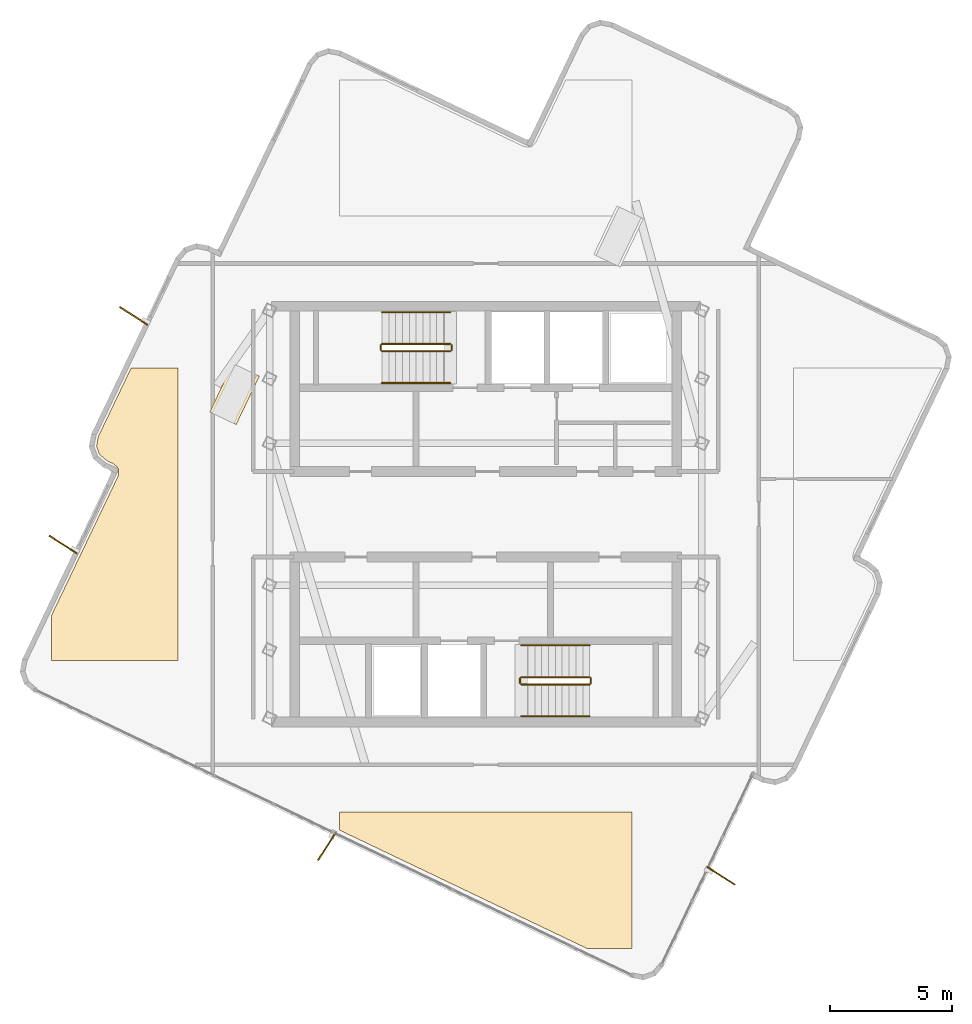
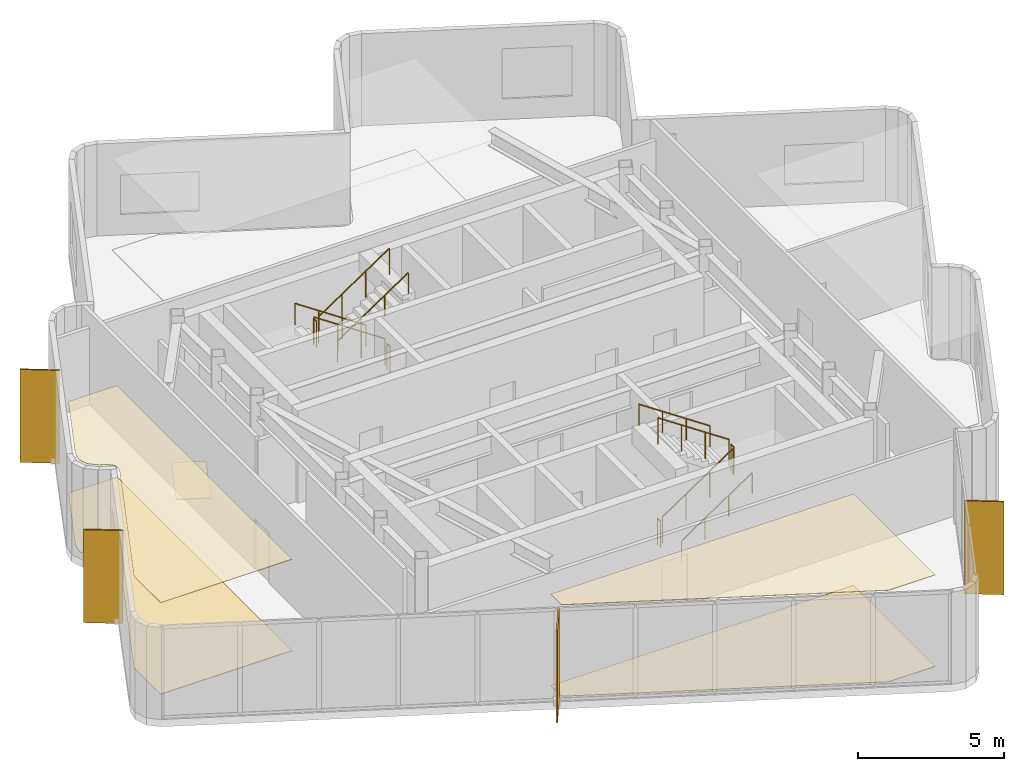
# One storey, part 6 of 8: 12 railings, 5 coverings, 4 shading devices.
"""IFC4 building model written with IfcOpenShell, lengths in metres."""

from ifc_helpers import new_model, si_unit, direction, frame, origin, origin_2d, place, context, subcontext, project, spatial, polyline, rectangle, circle, outline, extrude, material, layer, layer_set, type_object, element, save


model = new_model("IFC4")

# Units and contexts
model_context = context("Model", 3, precision=1e-05, world=origin(), true_north=direction((0.0, 1.0)))
body_context = subcontext(model_context, "Body", "Model", "MODEL_VIEW")
ifc_project = project(units=[si_unit("LENGTHUNIT", "METRE"), si_unit("AREAUNIT", "SQUARE_METRE"), si_unit("VOLUMEUNIT", "CUBIC_METRE"), si_unit("PLANEANGLEUNIT", "RADIAN"), si_unit("MASSUNIT", "GRAM", prefix="KILO")], contexts=[model_context])

# Site, building, storey
site_placement = place(None, origin())
site = spatial("IfcSite", under=ifc_project, at=site_placement, CompositionType="ELEMENT")
building_placement = place(site_placement, origin())
building = spatial("IfcBuilding", under=site, at=building_placement, Name="Solmarez Civic Tower", CompositionType="ELEMENT")
storey_placement = place(building_placement, frame((0.0, 0.0, 293.39990234375)))
storey = spatial("IfcBuildingStorey", under=building, at=storey_placement, Name="L79 Crown", CompositionType="ELEMENT", Elevation=293.39990234375)

# Coverings
ifc_material_1 = material(Name="Perforated Mineral-Fibre Acoustic Ceiling")
ifc_layer_1 = layer(ifc_material_1, 0.02490234375)
ifc_layer_set_1 = layer_set([ifc_layer_1], Name="Perforated Mineral-Fibre Acoustic Ceiling")
covering_type_1 = type_object("IfcCoveringType", Name="COV-CEIL-ACOUSTIC", PredefinedType="CEILING", material=ifc_layer_set_1)
covering_1_placement = place(storey_placement, frame((0.0, 0.0, 3.815185546875)))
element("IfcCovering", 1, at=covering_1_placement, inside=storey, type_object=covering_type_1, Name="L79 Crown Suspended Acoustic Ceiling 2", PredefinedType="CEILING", context=body_context, shape_type="SweptSolid", body=[
    extrude(outline(polyline([(5.97998046875, -12.199951171875), (-5.97998046875, -12.199951171875), (-5.97998046875, -12.93603515625), (4.14892578125, -17.780029296875), (5.97998046875, -17.780029296875), (5.97998046875, -12.199951171875)])), origin(), (0.0, 0.0, 1.0), 0.02490234375),
])
covering_2_placement = place(storey_placement, frame((0.0, 0.0, 3.815185546875)))
element("IfcCovering", 2, at=covering_2_placement, inside=storey, type_object=covering_type_1, Name="L79 Crown Suspended Acoustic Ceiling 4", PredefinedType="CEILING", context=body_context, shape_type="SweptSolid", body=[
    extrude(outline(polyline([(-12.60009765625, -5.97998046875), (-12.60009765625, 5.97998046875), (-14.52099609375, 5.97998046875), (-15.861083984375, 3.178955078125), (-15.93408203125, 2.7880859375), (-15.81494140625, 2.450927734375), (-15.512939453125, 2.193115234375), (-15.27587890625, 2.0791015625), (-15.27001953125, 2.075927734375), (-15.24609375, 2.06201171875), (-15.239990234375, 2.05810546875), (-15.22509765625, 2.047119140625), (-15.219970703125, 2.04296875), (-15.214111328125, 2.0380859375), (-15.133056640625, 1.968994140625), (-15.1279296875, 1.965087890625), (-15.113037109375, 1.951904296875), (-15.10009765625, 1.93701171875), (-15.094970703125, 1.930908203125), (-15.0810546875, 1.912109375), (-15.076904296875, 1.906005859375), (-15.069091796875, 1.89306640625), (-15.06494140625, 1.885986328125), (-15.05908203125, 1.875), (-15.055908203125, 1.868896484375), (-15.047119140625, 1.847900390625), (-15.0439453125, 1.840087890625), (-15.0380859375, 1.822998046875), (-15.035888671875, 1.81591796875), (-15.031982421875, 1.800048828125), (-15.030029296875, 1.782958984375), (-15.029052734375, 1.77490234375), (-15.027099609375, 1.748046875), (-15.027099609375, 1.73291015625), (-15.029052734375, 1.701904296875), (-15.030029296875, 1.695068359375), (-15.031982421875, 1.68505859375), (-15.052001953125, 1.5791015625), (-15.055908203125, 1.56005859375), (-15.05810546875, 1.552978515625), (-15.06201171875, 1.5400390625), (-15.068115234375, 1.52197265625), (-15.075927734375, 1.5048828125), (-17.780029296875, -4.14892578125), (-17.780029296875, -5.97998046875), (-12.60009765625, -5.97998046875)])), origin(), (0.0, 0.0, 1.0), 0.02490234375),
])
ifc_material_2 = material(Name="Polished Tropical Stone Terrazzo Flooring", Category="masonry")
ifc_layer_2 = layer(ifc_material_2, 0.02001953125)
ifc_layer_set_2 = layer_set([ifc_layer_2], Name="Polished Tropical Stone Terrazzo Flooring")
covering_type_2 = type_object("IfcCoveringType", Name="COV-FLOOR-TERRAZZO", PredefinedType="FLOORING", material=ifc_layer_set_2)
covering_3_placement = place(storey_placement, origin())
element("IfcCovering", 3, at=covering_3_placement, inside=storey, type_object=covering_type_2, Name="L79 Crown Terrazzo Floor Finish 2", PredefinedType="FLOORING", context=body_context, shape_type="SweptSolid", body=[
    extrude(outline(polyline([(5.97998046875, -12.199951171875), (-5.97998046875, -12.199951171875), (-5.97998046875, -12.93603515625), (4.14892578125, -17.780029296875), (5.97998046875, -17.780029296875), (5.97998046875, -12.199951171875)])), origin(), (0.0, 0.0, 1.0), 0.02001953125),
])
covering_4_placement = place(storey_placement, origin())
element("IfcCovering", 4, at=covering_4_placement, inside=storey, type_object=covering_type_2, Name="L79 Crown Terrazzo Floor Finish 4", PredefinedType="FLOORING", context=body_context, shape_type="SweptSolid", body=[
    extrude(outline(polyline([(-12.60009765625, -5.97998046875), (-12.60009765625, 5.97998046875), (-14.52099609375, 5.97998046875), (-15.861083984375, 3.178955078125), (-15.93408203125, 2.7880859375), (-15.81494140625, 2.450927734375), (-15.512939453125, 2.193115234375), (-15.27587890625, 2.0791015625), (-15.27001953125, 2.075927734375), (-15.24609375, 2.06201171875), (-15.239990234375, 2.05810546875), (-15.22509765625, 2.047119140625), (-15.219970703125, 2.04296875), (-15.214111328125, 2.0380859375), (-15.133056640625, 1.968994140625), (-15.1279296875, 1.965087890625), (-15.113037109375, 1.951904296875), (-15.10009765625, 1.93701171875), (-15.094970703125, 1.930908203125), (-15.0810546875, 1.912109375), (-15.076904296875, 1.906005859375), (-15.069091796875, 1.89306640625), (-15.06494140625, 1.885986328125), (-15.05908203125, 1.875), (-15.055908203125, 1.868896484375), (-15.047119140625, 1.847900390625), (-15.0439453125, 1.840087890625), (-15.0380859375, 1.822998046875), (-15.035888671875, 1.81591796875), (-15.031982421875, 1.800048828125), (-15.030029296875, 1.782958984375), (-15.029052734375, 1.77490234375), (-15.027099609375, 1.748046875), (-15.027099609375, 1.73291015625), (-15.029052734375, 1.701904296875), (-15.030029296875, 1.695068359375), (-15.031982421875, 1.68505859375), (-15.052001953125, 1.5791015625), (-15.055908203125, 1.56005859375), (-15.05810546875, 1.552978515625), (-15.06201171875, 1.5400390625), (-15.068115234375, 1.52197265625), (-15.075927734375, 1.5048828125), (-17.780029296875, -4.14892578125), (-17.780029296875, -5.97998046875), (-12.60009765625, -5.97998046875)])), origin(), (0.0, 0.0, 1.0), 0.02001953125),
])
ifc_material_3 = material(Name="Bronze Anodised Aluminium Exterior Soffit Cladding", Category="aluminium")
ifc_layer_3 = layer(ifc_material_3, 0.0400390625)
ifc_layer_set_3 = layer_set([ifc_layer_3], Name="Bronze Anodised Aluminium Exterior Soffit Cladding")
covering_type_3 = type_object("IfcCoveringType", Name="COV-SOFFIT-CLAD", PredefinedType="CLADDING", material=ifc_layer_set_3)
covering_5_placement = place(storey_placement, frame((-10.283935546875, 4.9189453125, -0.31982421875), z_axis=(0.0, 0.0, 1.0), x_axis=(0.431456045681, 0.902133959368, 0.0)))
element("IfcCovering", 5, at=covering_5_placement, inside=storey, type_object=covering_type_3, Name="L79 Crown Crown Soffit Cladding Panel 2", PredefinedType="CLADDING", context=body_context, shape_type="SweptSolid", body=[
    extrude(rectangle(XDim=2.199951171875, YDim=1.199951171875, at=origin_2d()), origin(), (0.0, 0.0, 1.0), 0.0400390625),
])

# Shading devices
ifc_material_4 = material(Name="Bronze Anodised Aluminium EN AW-6063 T6", Category="aluminium")
ifc_layer_4 = layer(ifc_material_4, 0.054931640625)
ifc_layer_set_4 = layer_set([ifc_layer_4], Name="Bronze Anodised Aluminium EN AW-6063 T6")
shading_device_type = type_object("IfcShadingDeviceType", Name="FIN-BRONZE-Z56", PredefinedType="USERDEFINED", material=ifc_layer_set_4)
for number, where, z_axis, x_axis, name in (
    (6, (9.631103515625, -14.802978515625, -0.039794921875), (0.0, 0.0, 1.0), (0.842828324641, -0.538182511035, 0.0), "L79 Crown Anodised Bronze Solar Fin FIN-L79 Crown-01"),
    (7, (-6.5048828125, -13.59912109375, -0.039794921875), (0.0, 0.0, 1.0), (-0.538182511035, -0.842828324641, 0.0), "L79 Crown Anodised Bronze Solar Fin FIN-L79 Crown-02"),
    (8, (-17.303955078125, -1.240966796875, -0.039794921875), (0.0, 0.0, 1.0), (-0.842856502656, 0.538138379909, 0.0), "L79 Crown Anodised Bronze Solar Fin FIN-L79 Crown-03"),
    (9, (-14.4130859375, 8.117919921875, -0.039794921875), (0.0, 0.0, 1.0), (-0.842800144315, 0.538226640685, 0.0), "L79 Crown Anodised Bronze Solar Fin FIN-L79 Crown-04"),
):
    element("IfcShadingDevice", number, at=place(storey_placement, frame(where, z_axis=z_axis, x_axis=x_axis)), inside=storey, type_object=shading_device_type, Name=name, ObjectType="FIN", PredefinedType="USERDEFINED", context=body_context, shape_type="SweptSolid", body=[
        extrude(rectangle(XDim=1.35009765625, YDim=0.054931640625, at=origin_2d()), origin(), (0.0, 0.0, 1.0), 3.8798828125),
    ])

# Railings
ifc_material_5 = material(Name="Painted Steel Stairwell Safety Guard", Category="steel")
railing_type_1 = type_object("IfcRailingType", Name="GUARD-STAIR-1120", PredefinedType="BALUSTRADE", material=ifc_material_5)
railing_1_placement = place(storey_placement, frame((-1.449951171875, 6.969970703125, 0.188232421875)))
element("IfcRailing", 10, at=railing_1_placement, inside=storey, type_object=railing_type_1, Name="L79 Crown ST-1 stair guard 1", PredefinedType="BALUSTRADE", context=body_context, shape_type="SweptSolid", body=[
    extrude(circle(Radius=0.02392578125, at=origin_2d()), frame((0.0, 0.0, 1.09619140625), z_axis=(-0.829973695312, 0.0, 0.557802532345), x_axis=(0.0, -1.0, 0.0)), (0.0, 0.0, 1.0), 3.373779296875),
    extrude(circle(Radius=0.02099609375, at=origin_2d()), origin(), (0.0, 0.0, 1.0), 1.072021484375),
    extrude(circle(Radius=0.02099609375, at=origin_2d()), frame((-0.933349609375, 0.0, 0.627197265625)), (0.0, 0.0, 1.0), 1.072021484375),
    extrude(circle(Radius=0.02099609375, at=origin_2d()), frame((-1.86669921875, 0.0, 1.254638671875)), (0.0, 0.0, 1.0), 1.072021484375),
    extrude(circle(Radius=0.02099609375, at=origin_2d()), frame((-2.800048828125, 0.0, 1.8818359375)), (0.0, 0.0, 1.0), 1.072021484375),
])
railing_2_placement = place(storey_placement, frame((-4.300048828125, 6.919921875, 2.070068359375)))
element("IfcRailing", 11, at=railing_2_placement, inside=storey, type_object=railing_type_1, Name="L79 Crown ST-1 stair guard 2", PredefinedType="BALUSTRADE", context=body_context, shape_type="SweptSolid", body=[
    extrude(circle(Radius=0.02392578125, at=origin_2d()), frame((0.0, 0.0, 1.09619140625), z_axis=(0.0, -1.0, 0.0), x_axis=(1.0, 0.0, 0.0)), (0.0, 0.0, 1.0), 0.199951171875),
    extrude(circle(Radius=0.02099609375, at=origin_2d()), origin(), (0.0, 0.0, 1.0), 1.072021484375),
    extrude(circle(Radius=0.02099609375, at=origin_2d()), frame((0.0, -0.199951171875, 0.0)), (0.0, 0.0, 1.0), 1.072021484375),
])
railing_3_placement = place(storey_placement, frame((-4.25, 6.669921875, 2.25830078125)))
element("IfcRailing", 12, at=railing_3_placement, inside=storey, type_object=railing_type_1, Name="L79 Crown ST-1 stair guard 3", PredefinedType="BALUSTRADE", context=body_context, shape_type="SweptSolid", body=[
    extrude(circle(Radius=0.02392578125, at=origin_2d()), frame((0.0, 0.0, 1.09619140625), z_axis=(0.829973695312, 0.0, 0.557802532345), x_axis=(0.0, 1.0, 0.0)), (0.0, 0.0, 1.0), 3.373779296875),
    extrude(circle(Radius=0.02099609375, at=origin_2d()), origin(), (0.0, 0.0, 1.0), 1.072021484375),
    extrude(circle(Radius=0.02099609375, at=origin_2d()), frame((0.933349609375, 0.0, 0.627197265625)), (0.0, 0.0, 1.0), 1.072021484375),
    extrude(circle(Radius=0.02099609375, at=origin_2d()), frame((1.86669921875, 0.0, 1.254638671875)), (0.0, 0.0, 1.0), 1.072021484375),
    extrude(circle(Radius=0.02099609375, at=origin_2d()), frame((2.800048828125, 0.0, 1.8818359375)), (0.0, 0.0, 1.0), 1.072021484375),
])
railing_4_placement = place(storey_placement, frame((-1.39990234375, 6.919921875, 0.0)))
element("IfcRailing", 13, at=railing_4_placement, inside=storey, type_object=railing_type_1, Name="L79 Crown ST-1 stair guard 4", PredefinedType="BALUSTRADE", context=body_context, shape_type="SweptSolid", body=[
    extrude(circle(Radius=0.02392578125, at=origin_2d()), frame((0.0, 0.0, 1.09619140625), z_axis=(0.0, -1.0, 0.0), x_axis=(1.0, 0.0, 0.0)), (0.0, 0.0, 1.0), 0.199951171875),
    extrude(circle(Radius=0.02099609375, at=origin_2d()), origin(), (0.0, 0.0, 1.0), 1.072021484375),
    extrude(circle(Radius=0.02099609375, at=origin_2d()), frame((0.0, -0.199951171875, 0.0)), (0.0, 0.0, 1.0), 1.072021484375),
])
railing_5_placement = place(storey_placement, frame((1.449951171875, -6.969970703125, 0.188232421875)))
element("IfcRailing", 14, at=railing_5_placement, inside=storey, type_object=railing_type_1, Name="L79 Crown ST-2 stair guard 1", PredefinedType="BALUSTRADE", context=body_context, shape_type="SweptSolid", body=[
    extrude(circle(Radius=0.02392578125, at=origin_2d()), frame((0.0, 0.0, 1.09619140625), z_axis=(0.829973695312, 0.0, 0.557802532345), x_axis=(0.0, 1.0, 0.0)), (0.0, 0.0, 1.0), 3.373779296875),
    extrude(circle(Radius=0.02099609375, at=origin_2d()), origin(), (0.0, 0.0, 1.0), 1.072021484375),
    extrude(circle(Radius=0.02099609375, at=origin_2d()), frame((0.933349609375, 0.0, 0.627197265625)), (0.0, 0.0, 1.0), 1.072021484375),
    extrude(circle(Radius=0.02099609375, at=origin_2d()), frame((1.86669921875, 0.0, 1.254638671875)), (0.0, 0.0, 1.0), 1.072021484375),
    extrude(circle(Radius=0.02099609375, at=origin_2d()), frame((2.800048828125, 0.0, 1.8818359375)), (0.0, 0.0, 1.0), 1.072021484375),
])
railing_6_placement = place(storey_placement, frame((4.300048828125, -6.919921875, 2.070068359375)))
element("IfcRailing", 15, at=railing_6_placement, inside=storey, type_object=railing_type_1, Name="L79 Crown ST-2 stair guard 2", PredefinedType="BALUSTRADE", context=body_context, shape_type="SweptSolid", body=[
    extrude(circle(Radius=0.02392578125, at=origin_2d()), frame((0.0, 0.0, 1.09619140625), z_axis=(0.0, 1.0, 0.0), x_axis=(-1.0, 0.0, 0.0)), (0.0, 0.0, 1.0), 0.199951171875),
    extrude(circle(Radius=0.02099609375, at=origin_2d()), origin(), (0.0, 0.0, 1.0), 1.072021484375),
    extrude(circle(Radius=0.02099609375, at=origin_2d()), frame((0.0, 0.199951171875, 0.0)), (0.0, 0.0, 1.0), 1.072021484375),
])
railing_7_placement = place(storey_placement, frame((4.25, -6.669921875, 2.25830078125)))
element("IfcRailing", 16, at=railing_7_placement, inside=storey, type_object=railing_type_1, Name="L79 Crown ST-2 stair guard 3", PredefinedType="BALUSTRADE", context=body_context, shape_type="SweptSolid", body=[
    extrude(circle(Radius=0.02392578125, at=origin_2d()), frame((0.0, 0.0, 1.09619140625), z_axis=(-0.829973695312, 0.0, 0.557802532345), x_axis=(0.0, -1.0, 0.0)), (0.0, 0.0, 1.0), 3.373779296875),
    extrude(circle(Radius=0.02099609375, at=origin_2d()), origin(), (0.0, 0.0, 1.0), 1.072021484375),
    extrude(circle(Radius=0.02099609375, at=origin_2d()), frame((-0.933349609375, 0.0, 0.627197265625)), (0.0, 0.0, 1.0), 1.072021484375),
    extrude(circle(Radius=0.02099609375, at=origin_2d()), frame((-1.86669921875, 0.0, 1.254638671875)), (0.0, 0.0, 1.0), 1.072021484375),
    extrude(circle(Radius=0.02099609375, at=origin_2d()), frame((-2.800048828125, 0.0, 1.8818359375)), (0.0, 0.0, 1.0), 1.072021484375),
])
railing_8_placement = place(storey_placement, frame((1.39990234375, -6.919921875, 0.0)))
element("IfcRailing", 17, at=railing_8_placement, inside=storey, type_object=railing_type_1, Name="L79 Crown ST-2 stair guard 4", PredefinedType="BALUSTRADE", context=body_context, shape_type="SweptSolid", body=[
    extrude(circle(Radius=0.02392578125, at=origin_2d()), frame((0.0, 0.0, 1.09619140625), z_axis=(0.0, 1.0, 0.0), x_axis=(-1.0, 0.0, 0.0)), (0.0, 0.0, 1.0), 0.199951171875),
    extrude(circle(Radius=0.02099609375, at=origin_2d()), origin(), (0.0, 0.0, 1.0), 1.072021484375),
    extrude(circle(Radius=0.02099609375, at=origin_2d()), frame((0.0, 0.199951171875, 0.0)), (0.0, 0.0, 1.0), 1.072021484375),
])
ifc_material_6 = material(Name="Brushed Stainless Steel Tube Handrail", Category="steel")
railing_type_2 = type_object("IfcRailingType", Name="HANDRAIL-STAIR-900", PredefinedType="HANDRAIL", material=ifc_material_6)
railing_9_placement = place(storey_placement, frame((-1.449951171875, 8.27001953125, 0.188232421875)))
element("IfcRailing", 18, at=railing_9_placement, inside=storey, type_object=railing_type_2, Name="L79 Crown ST-1 stair handrail 1", PredefinedType="HANDRAIL", context=body_context, shape_type="SweptSolid", body=[
    extrude(circle(Radius=0.02392578125, at=origin_2d()), frame((0.0, 0.0, 0.8759765625), z_axis=(-0.829973695312, 0.0, 0.557802532345), x_axis=(0.0, -1.0, 0.0)), (0.0, 0.0, 1.0), 3.373779296875),
    extrude(circle(Radius=0.02099609375, at=origin_2d()), origin(), (0.0, 0.0, 1.0), 0.851806640625),
    extrude(circle(Radius=0.02099609375, at=origin_2d()), frame((-0.933349609375, 0.0, 0.627197265625)), (0.0, 0.0, 1.0), 0.851806640625),
    extrude(circle(Radius=0.02099609375, at=origin_2d()), frame((-1.86669921875, 0.0, 1.254638671875)), (0.0, 0.0, 1.0), 0.851806640625),
    extrude(circle(Radius=0.02099609375, at=origin_2d()), frame((-2.800048828125, 0.0, 1.8818359375)), (0.0, 0.0, 1.0), 0.851806640625),
])
for number, where, name in (
    (19, (-4.25, 5.3701171875, 2.25830078125), "L79 Crown ST-1 stair handrail 2"),
    (20, (1.449951171875, -8.27001953125, 0.188232421875), "L79 Crown ST-2 stair handrail 1"),
):
    element("IfcRailing", number, at=place(storey_placement, frame(where)), inside=storey, type_object=railing_type_2, Name=name, PredefinedType="HANDRAIL", context=body_context, shape_type="SweptSolid", body=[
        extrude(circle(Radius=0.02392578125, at=origin_2d()), frame((0.0, 0.0, 0.8759765625), z_axis=(0.829973695312, 0.0, 0.557802532345), x_axis=(0.0, 1.0, 0.0)), (0.0, 0.0, 1.0), 3.373779296875),
        extrude(circle(Radius=0.02099609375, at=origin_2d()), origin(), (0.0, 0.0, 1.0), 0.851806640625),
        extrude(circle(Radius=0.02099609375, at=origin_2d()), frame((0.933349609375, 0.0, 0.627197265625)), (0.0, 0.0, 1.0), 0.851806640625),
        extrude(circle(Radius=0.02099609375, at=origin_2d()), frame((1.86669921875, 0.0, 1.254638671875)), (0.0, 0.0, 1.0), 0.851806640625),
        extrude(circle(Radius=0.02099609375, at=origin_2d()), frame((2.800048828125, 0.0, 1.8818359375)), (0.0, 0.0, 1.0), 0.851806640625),
    ])
railing_10_placement = place(storey_placement, frame((4.25, -5.3701171875, 2.25830078125)))
element("IfcRailing", 21, at=railing_10_placement, inside=storey, type_object=railing_type_2, Name="L79 Crown ST-2 stair handrail 2", PredefinedType="HANDRAIL", context=body_context, shape_type="SweptSolid", body=[
    extrude(circle(Radius=0.02392578125, at=origin_2d()), frame((0.0, 0.0, 0.8759765625), z_axis=(-0.829973695312, 0.0, 0.557802532345), x_axis=(0.0, -1.0, 0.0)), (0.0, 0.0, 1.0), 3.373779296875),
    extrude(circle(Radius=0.02099609375, at=origin_2d()), origin(), (0.0, 0.0, 1.0), 0.851806640625),
    extrude(circle(Radius=0.02099609375, at=origin_2d()), frame((-0.933349609375, 0.0, 0.627197265625)), (0.0, 0.0, 1.0), 0.851806640625),
    extrude(circle(Radius=0.02099609375, at=origin_2d()), frame((-1.86669921875, 0.0, 1.254638671875)), (0.0, 0.0, 1.0), 0.851806640625),
    extrude(circle(Radius=0.02099609375, at=origin_2d()), frame((-2.800048828125, 0.0, 1.8818359375)), (0.0, 0.0, 1.0), 0.851806640625),
])

save(model, "model.ifc")
